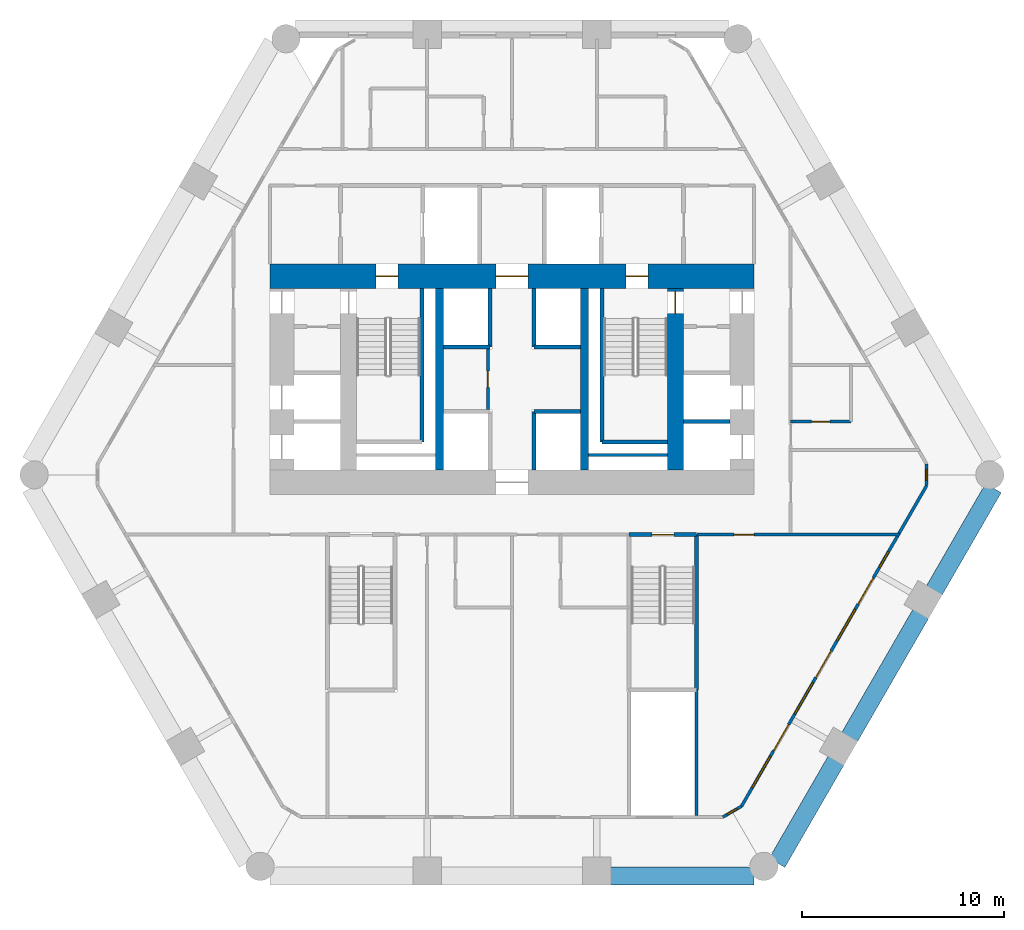
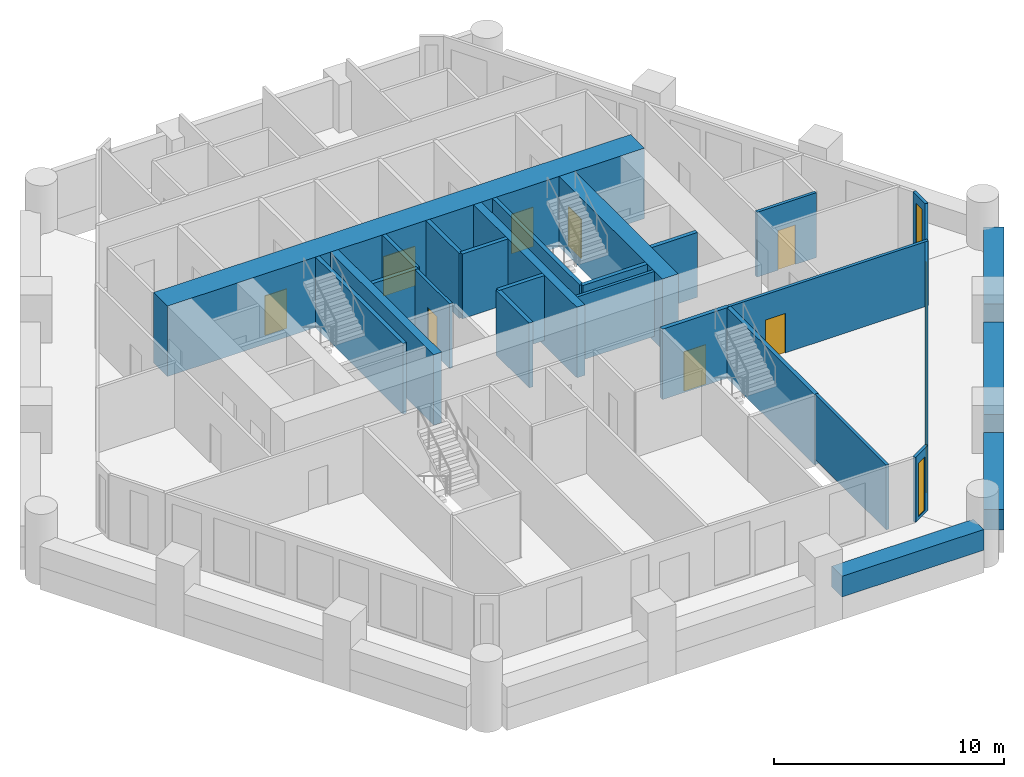
# One storey, part 4 of 8: 28 walls, 11 doors, 6 windows, 17 openings.
"""IFC4 building model written with IfcOpenShell, lengths in metres."""

from ifc_helpers import new_model, si_unit, direction, frame, frame_2d, origin, place, context, subcontext, project, spatial, rectangle, extrude, material, layer, layer_set, type_object, element, fill, save


model = new_model("IFC4")

# Units and contexts
model_context = context("Model", 3, precision=1e-05, world=origin(), true_north=direction((0.0, 1.0)))
body_context = subcontext(model_context, "Body", "Model", "MODEL_VIEW")
ifc_project = project(units=[si_unit("LENGTHUNIT", "METRE"), si_unit("AREAUNIT", "SQUARE_METRE"), si_unit("VOLUMEUNIT", "CUBIC_METRE"), si_unit("PLANEANGLEUNIT", "RADIAN"), si_unit("MASSUNIT", "GRAM", prefix="KILO")], contexts=[model_context])

# Site, building, storey
site_placement = place(None, origin())
site = spatial("IfcSite", under=ifc_project, at=site_placement, CompositionType="ELEMENT")
building_placement = place(site_placement, origin())
building = spatial("IfcBuilding", under=site, at=building_placement, Name="Ostrander Bayou Hotel Tower", CompositionType="ELEMENT")
storey_placement = place(building_placement, frame((0.0, 0.0, 61.75)))
storey = spatial("IfcBuildingStorey", under=building, at=storey_placement, Name="L15", CompositionType="ELEMENT", Elevation=61.75)

# Wall, openings, doors
ifc_material_1 = material(Name="Concrete f'c 70 MPa", Category="concrete")
ifc_layer_1 = layer(ifc_material_1, 1.199951171875)
ifc_layer_set_1 = layer_set([ifc_layer_1], Name="CW1 core wall 1200 mm f'c 70 MPa")
wall_type_1 = type_object("IfcWallType", Name="CW1 core wall 1200 mm f'c 70 MPa", PredefinedType="SHEAR", material=ifc_layer_set_1)
wall_1_placement = place(storey_placement, frame((-12.0, 9.10009765625, -0.300048828125), z_axis=(0.0, 0.0, 1.0), x_axis=(1.0, 0.0, 0.0)))
wall_1 = element("IfcWall", 1, at=wall_1_placement, inside=storey, type_object=wall_type_1, Name="CW1 L15 N", PredefinedType="SHEAR", context=body_context, shape_type="SweptSolid", body=[
    extrude(rectangle(XDim=24.0, YDim=1.199951171875, at=frame_2d((12.0, 0.0))), origin(), (0.0, 0.0, 1.0), 3.75),
])
opening_1_placement = place(wall_1_placement, frame((11.199951171875, 0.0, 0.0)))
opening_1 = element("IfcOpeningElement", 2, at=opening_1_placement, cuts=wall_1, Name="Opening T15-002", PredefinedType="OPENING", context=body_context, shape_type="SweptSolid", body=[
    extrude(rectangle(XDim=1.60009765625, YDim=2.10009765625, at=frame_2d((0.800048828125, 1.050048828125))), frame((0.0, 0.60009765625, 0.0), z_axis=(0.0, -1.0, 0.0), x_axis=(1.0, 0.0, 0.0)), (0.0, 0.0, 1.0), 1.199951171875),
])
opening_2_placement = place(wall_1_placement, frame((5.25, 0.0, 0.0)))
opening_2 = element("IfcOpeningElement", 3, at=opening_2_placement, cuts=wall_1, Name="Opening T15-003", PredefinedType="OPENING", context=body_context, shape_type="SweptSolid", body=[
    extrude(rectangle(XDim=1.10009765625, YDim=2.10009765625, at=frame_2d((0.550048828125, 1.050048828125))), frame((0.0, 0.60009765625, 0.0), z_axis=(0.0, -1.0, 0.0), x_axis=(1.0, 0.0, 0.0)), (0.0, 0.0, 1.0), 1.199951171875),
])
opening_3_placement = place(wall_1_placement, frame((17.64990234375, 0.0, 0.0)))
opening_3 = element("IfcOpeningElement", 4, at=opening_3_placement, cuts=wall_1, Name="Opening T15-005", PredefinedType="OPENING", context=body_context, shape_type="SweptSolid", body=[
    extrude(rectangle(XDim=1.10009765625, YDim=2.10009765625, at=frame_2d((0.550048828125, 1.050048828125))), frame((0.0, 0.60009765625, 0.0), z_axis=(0.0, -1.0, 0.0), x_axis=(1.0, 0.0, 0.0)), (0.0, 0.0, 1.0), 1.199951171875),
])
ifc_material_2 = material(Name="Timber door leaf", Category="wood")
door_type_1 = type_object("IfcDoorType", Name="D13 double door 1600 x 2100 mm, 1 hour", OperationType="SINGLE_SWING_LEFT", PredefinedType="DOOR", material=ifc_material_2)
door_1_placement = place(opening_1_placement, origin())
door_1 = element("IfcDoor", 5, at=door_1_placement, inside=storey, type_object=door_type_1, Name="dr:L15:002", OperationType="DOUBLE_DOOR_SINGLE_SWING", OverallHeight=2.10009765625, OverallWidth=1.60009765625, PredefinedType="DOOR", context=body_context, shape_type="SweptSolid", body=[
    extrude(rectangle(XDim=1.60009765625, YDim=2.10009765625, at=frame_2d((0.800048828125, 1.050048828125))), frame((0.0, 0.02490234375, 0.0), z_axis=(0.0, -1.0, 0.0), x_axis=(1.0, 0.0, 0.0)), (0.0, 0.0, 1.0), 0.050048828125),
])
fill(opening_1, door_1)
ifc_material_3 = material(Name="Timber door leaf", Category="wood")
door_type_2 = type_object("IfcDoorType", Name="D5 stair door 1100 x 2100 mm, 90 minute", OperationType="SINGLE_SWING_LEFT", PredefinedType="DOOR", material=ifc_material_3)
door_2_placement = place(opening_2_placement, origin())
door_2 = element("IfcDoor", 6, at=door_2_placement, inside=storey, type_object=door_type_2, Name="dr:L15:003", OperationType="SINGLE_SWING_LEFT", OverallHeight=2.10009765625, OverallWidth=1.10009765625, PredefinedType="DOOR", context=body_context, shape_type="SweptSolid", body=[
    extrude(rectangle(XDim=1.10009765625, YDim=2.10009765625, at=frame_2d((0.550048828125, 1.050048828125))), frame((0.0, 0.02490234375, 0.0), z_axis=(0.0, -1.0, 0.0), x_axis=(1.0, 0.0, 0.0)), (0.0, 0.0, 1.0), 0.050048828125),
])
fill(opening_2, door_2)
door_3_placement = place(opening_3_placement, origin())
door_3 = element("IfcDoor", 7, at=door_3_placement, inside=storey, type_object=door_type_2, Name="dr:L15:005", OperationType="SINGLE_SWING_RIGHT", OverallHeight=2.10009765625, OverallWidth=1.10009765625, PredefinedType="DOOR", context=body_context, shape_type="SweptSolid", body=[
    extrude(rectangle(XDim=1.10009765625, YDim=2.10009765625, at=frame_2d((0.550048828125, 1.050048828125))), frame((0.0, 0.02490234375, 0.0), z_axis=(0.0, -1.0, 0.0), x_axis=(1.0, 0.0, 0.0)), (0.0, 0.0, 1.0), 0.050048828125),
])
fill(opening_3, door_3)

# Wall, opening, door
ifc_material_4 = material(Name="Concrete f'c 70 MPa", Category="concrete")
ifc_layer_2 = layer(ifc_material_4, 0.800048828125)
ifc_layer_set_2 = layer_set([ifc_layer_2], Name="CW2 core spine wall 800 mm f'c 70 MPa")
wall_type_2 = type_object("IfcWallType", Name="CW2 core spine wall 800 mm f'c 70 MPa", PredefinedType="SHEAR", material=ifc_layer_set_2)
wall_2_placement = place(storey_placement, frame((8.10009765625, -0.5, -0.300048828125), z_axis=(0.0, 0.0, 1.0), x_axis=(0.0, 1.0, 0.0)))
wall_2 = element("IfcWall", 8, at=wall_2_placement, inside=storey, type_object=wall_type_2, Name="CW2 L15 E", PredefinedType="SHEAR", context=body_context, shape_type="SweptSolid", body=[
    extrude(rectangle(XDim=9.0, YDim=0.800048828125, at=frame_2d((4.5, 0.0))), origin(), (0.0, 0.0, 1.0), 3.75),
])
opening_4_placement = place(wall_2_placement, frame((7.75, 0.0, 0.0)))
opening_4 = element("IfcOpeningElement", 9, at=opening_4_placement, cuts=wall_2, Name="Opening T15-006", PredefinedType="OPENING", context=body_context, shape_type="SweptSolid", body=[
    extrude(rectangle(XDim=1.10009765625, YDim=2.10009765625, at=frame_2d((0.550048828125, 1.050048828125))), frame((0.0, 0.39990234375, 0.0), z_axis=(0.0, -1.0, 0.0), x_axis=(1.0, 0.0, 0.0)), (0.0, 0.0, 1.0), 0.800048828125),
])
door_4_placement = place(opening_4_placement, origin())
door_4 = element("IfcDoor", 10, at=door_4_placement, inside=storey, type_object=door_type_2, Name="dr:L15:006", OperationType="SINGLE_SWING_LEFT", OverallHeight=2.10009765625, OverallWidth=1.10009765625, PredefinedType="DOOR", context=body_context, shape_type="SweptSolid", body=[
    extrude(rectangle(XDim=1.10009765625, YDim=2.10009765625, at=frame_2d((0.550048828125, 1.050048828125))), frame((0.0, 0.02490234375, 0.0), z_axis=(0.0, -1.0, 0.0), x_axis=(1.0, 0.0, 0.0)), (0.0, 0.0, 1.0), 0.050048828125),
])
fill(opening_4, door_4)

# Walls
ifc_material_5 = material(Name="Concrete f'c 70 MPa", Category="concrete")
ifc_layer_3 = layer(ifc_material_5, 0.39990234375)
ifc_layer_set_3 = layer_set([ifc_layer_3], Name="CW3 core bank wall 400 mm f'c 70 MPa")
wall_type_3 = type_object("IfcWallType", Name="CW3 core bank wall 400 mm f'c 70 MPa", PredefinedType="SHEAR", material=ifc_layer_set_3)
for number, where, z_axis, x_axis, name in (
    (11, (-3.60009765625, -0.5, -0.300048828125), (0.0, 0.0, 1.0), (0.0, 1.0, 0.0), "CW3 L15 CW"),
    (12, (3.60009765625, -0.5, -0.300048828125), (0.0, 0.0, 1.0), (0.0, 1.0, 0.0), "CW3 L15 CE"),
):
    element("IfcWall", number, at=place(storey_placement, frame(where, z_axis=z_axis, x_axis=x_axis)), inside=storey, type_object=wall_type_3, Name=name, PredefinedType="SHEAR", context=body_context, shape_type="SweptSolid", body=[
        extrude(rectangle(XDim=9.0, YDim=0.39990234375, at=frame_2d((4.5, 0.0))), origin(), (0.0, 0.0, 1.0), 3.75),
    ])

# Wall, openings, doors, windows
ifc_material_6 = material(Name="Aluminium framed insulated wall", Category="aluminium")
ifc_layer_4 = layer(ifc_material_6, 0.14990234375)
ifc_layer_set_4 = layer_set([ifc_layer_4], Name="GW1 glass-line wall 150 mm")
wall_type_4 = type_object("IfcWallType", Name="GW1 glass-line wall 150 mm", PredefinedType="SOLIDWALL", material=ifc_layer_set_4)
wall_3_placement = place(storey_placement, frame((11.370361328125, -17.156005859375, 0.0), z_axis=(0.0, 0.0, 1.0), x_axis=(0.499995095024, 0.866028235655, 0.0)))
wall_3 = element("IfcWall", 13, at=wall_3_placement, inside=storey, type_object=wall_type_4, Name="GW1 L15 SE 1", PredefinedType="SOLIDWALL", context=body_context, shape_type="SweptSolid", body=[
    extrude(rectangle(XDim=18.344970703125, YDim=0.14990234375, at=frame_2d((9.17236328125, 0.0))), origin(), (0.0, 0.0, 1.0), 3.449951171875),
])
opening_5_placement = place(wall_3_placement, frame((1.072509765625, 0.0, 0.14990234375)))
opening_5 = element("IfcOpeningElement", 14, at=opening_5_placement, cuts=wall_3, Name="Opening W1", PredefinedType="OPENING", context=body_context, shape_type="SweptSolid", body=[
    extrude(rectangle(XDim=1.800048828125, YDim=2.85009765625, at=frame_2d((0.89990234375, 1.425048828125))), frame((0.0, 0.074951171875, 0.0), z_axis=(0.0, -1.0, 0.0), x_axis=(1.0, 0.0, 0.0)), (0.0, 0.0, 1.0), 0.14990234375),
])
opening_6_placement = place(wall_3_placement, frame((3.17236328125, 0.0, 0.0)))
opening_6 = element("IfcOpeningElement", 15, at=opening_6_placement, cuts=wall_3, Name="Opening T15-803", PredefinedType="OPENING", context=body_context, shape_type="SweptSolid", body=[
    extrude(rectangle(XDim=1.5, YDim=2.39990234375, at=frame_2d((0.75, 1.199951171875))), frame((0.0, 0.074951171875, 0.0), z_axis=(0.0, -1.0, 0.0), x_axis=(1.0, 0.0, 0.0)), (0.0, 0.0, 1.0), 0.14990234375),
])
opening_7_placement = place(wall_3_placement, frame((5.2724609375, 0.0, 0.14990234375)))
opening_7 = element("IfcOpeningElement", 16, at=opening_7_placement, cuts=wall_3, Name="Opening W1", PredefinedType="OPENING", context=body_context, shape_type="SweptSolid", body=[
    extrude(rectangle(XDim=1.800048828125, YDim=2.85009765625, at=frame_2d((0.89990234375, 1.425048828125))), frame((0.0, 0.074951171875, 0.0), z_axis=(0.0, -1.0, 0.0), x_axis=(1.0, 0.0, 0.0)), (0.0, 0.0, 1.0), 0.14990234375),
])
opening_8_placement = place(wall_3_placement, frame((7.372314453125, 0.0, 0.0)))
opening_8 = element("IfcOpeningElement", 17, at=opening_8_placement, cuts=wall_3, Name="Opening T15-804", PredefinedType="OPENING", context=body_context, shape_type="SweptSolid", body=[
    extrude(rectangle(XDim=1.5, YDim=2.39990234375, at=frame_2d((0.75, 1.199951171875))), frame((0.0, 0.074951171875, 0.0), z_axis=(0.0, -1.0, 0.0), x_axis=(1.0, 0.0, 0.0)), (0.0, 0.0, 1.0), 0.14990234375),
])
opening_9_placement = place(wall_3_placement, frame((9.472412109375, 0.0, 0.14990234375)))
opening_9 = element("IfcOpeningElement", 18, at=opening_9_placement, cuts=wall_3, Name="Opening W1", PredefinedType="OPENING", context=body_context, shape_type="SweptSolid", body=[
    extrude(rectangle(XDim=1.800048828125, YDim=2.85009765625, at=frame_2d((0.89990234375, 1.425048828125))), frame((0.0, 0.074951171875, 0.0), z_axis=(0.0, -1.0, 0.0), x_axis=(1.0, 0.0, 0.0)), (0.0, 0.0, 1.0), 0.14990234375),
])
opening_10_placement = place(wall_3_placement, frame((11.572509765625, 0.0, 0.0)))
opening_10 = element("IfcOpeningElement", 19, at=opening_10_placement, cuts=wall_3, Name="Opening T15-805", PredefinedType="OPENING", context=body_context, shape_type="SweptSolid", body=[
    extrude(rectangle(XDim=1.5, YDim=2.39990234375, at=frame_2d((0.75, 1.199951171875))), frame((0.0, 0.074951171875, 0.0), z_axis=(0.0, -1.0, 0.0), x_axis=(1.0, 0.0, 0.0)), (0.0, 0.0, 1.0), 0.14990234375),
])
opening_11_placement = place(wall_3_placement, frame((13.67236328125, 0.0, 0.14990234375)))
opening_11 = element("IfcOpeningElement", 20, at=opening_11_placement, cuts=wall_3, Name="Opening W15", PredefinedType="OPENING", context=body_context, shape_type="SweptSolid", body=[
    extrude(rectangle(XDim=0.89990234375, YDim=2.85009765625, at=frame_2d((0.449951171875, 1.425048828125))), frame((0.0, 0.074951171875, 0.0), z_axis=(0.0, -1.0, 0.0), x_axis=(1.0, 0.0, 0.0)), (0.0, 0.0, 1.0), 0.14990234375),
])
ifc_material_7 = material(Name="Aluminium and clear glass", Category="aluminium")
door_type_3 = type_object("IfcDoorType", Name="SD1 sliding glass door 1500 mm, zone 1", OperationType="SLIDING_TO_LEFT", PredefinedType="DOOR", material=ifc_material_7)
door_5_placement = place(opening_6_placement, origin())
door_5 = element("IfcDoor", 21, at=door_5_placement, inside=storey, type_object=door_type_3, Name="SD1 L15 SE 1", OperationType="SLIDING_TO_LEFT", OverallHeight=2.39990234375, OverallWidth=1.5, PredefinedType="DOOR", context=body_context, shape_type="SweptSolid", body=[
    extrude(rectangle(XDim=1.5, YDim=2.39990234375, at=frame_2d((0.75, 1.199951171875))), frame((0.0, 0.02490234375, 0.0), z_axis=(0.0, -1.0, 0.0), x_axis=(1.0, 0.0, 0.0)), (0.0, 0.0, 1.0), 0.050048828125),
])
fill(opening_6, door_5)
door_6_placement = place(opening_8_placement, origin())
door_6 = element("IfcDoor", 22, at=door_6_placement, inside=storey, type_object=door_type_3, Name="SD1 L15 SE 2", OperationType="SLIDING_TO_RIGHT", OverallHeight=2.39990234375, OverallWidth=1.5, PredefinedType="DOOR", context=body_context, shape_type="SweptSolid", body=[
    extrude(rectangle(XDim=1.5, YDim=2.39990234375, at=frame_2d((0.75, 1.199951171875))), frame((0.0, 0.02490234375, 0.0), z_axis=(0.0, -1.0, 0.0), x_axis=(1.0, 0.0, 0.0)), (0.0, 0.0, 1.0), 0.050048828125),
])
fill(opening_8, door_6)
door_7_placement = place(opening_10_placement, origin())
door_7 = element("IfcDoor", 23, at=door_7_placement, inside=storey, type_object=door_type_3, Name="SD1 L15 SE 3", OperationType="SLIDING_TO_LEFT", OverallHeight=2.39990234375, OverallWidth=1.5, PredefinedType="DOOR", context=body_context, shape_type="SweptSolid", body=[
    extrude(rectangle(XDim=1.5, YDim=2.39990234375, at=frame_2d((0.75, 1.199951171875))), frame((0.0, 0.02490234375, 0.0), z_axis=(0.0, -1.0, 0.0), x_axis=(1.0, 0.0, 0.0)), (0.0, 0.0, 1.0), 0.050048828125),
])
fill(opening_10, door_7)
ifc_material_8 = material(Name="Aluminium and clear glass", Category="aluminium")
window_type_1 = type_object("IfcWindowType", Name="W1 fixed window 1800 mm, zone 1", PartitioningType="SINGLE_PANEL", PredefinedType="WINDOW", material=ifc_material_8)
window_1_placement = place(opening_5_placement, origin())
window_1 = element("IfcWindow", 24, at=window_1_placement, inside=storey, type_object=window_type_1, Name="W1 L15 SE 1", OverallHeight=2.85009765625, OverallWidth=1.800048828125, PartitioningType="SINGLE_PANEL", PredefinedType="WINDOW", context=body_context, shape_type="SweptSolid", body=[
    extrude(rectangle(XDim=1.800048828125, YDim=2.85009765625, at=frame_2d((0.89990234375, 1.425048828125))), frame((0.0, 0.030029296875, 0.0), z_axis=(0.0, -1.0, 0.0), x_axis=(1.0, 0.0, 0.0)), (0.0, 0.0, 1.0), 0.06005859375),
])
fill(opening_5, window_1)
window_2_placement = place(opening_7_placement, origin())
window_2 = element("IfcWindow", 25, at=window_2_placement, inside=storey, type_object=window_type_1, Name="W1 L15 SE 2", OverallHeight=2.85009765625, OverallWidth=1.800048828125, PartitioningType="SINGLE_PANEL", PredefinedType="WINDOW", context=body_context, shape_type="SweptSolid", body=[
    extrude(rectangle(XDim=1.800048828125, YDim=2.85009765625, at=frame_2d((0.89990234375, 1.425048828125))), frame((0.0, 0.030029296875, 0.0), z_axis=(0.0, -1.0, 0.0), x_axis=(1.0, 0.0, 0.0)), (0.0, 0.0, 1.0), 0.06005859375),
])
fill(opening_7, window_2)
window_3_placement = place(opening_9_placement, origin())
window_3 = element("IfcWindow", 26, at=window_3_placement, inside=storey, type_object=window_type_1, Name="W1 L15 SE 3", OverallHeight=2.85009765625, OverallWidth=1.800048828125, PartitioningType="SINGLE_PANEL", PredefinedType="WINDOW", context=body_context, shape_type="SweptSolid", body=[
    extrude(rectangle(XDim=1.800048828125, YDim=2.85009765625, at=frame_2d((0.89990234375, 1.425048828125))), frame((0.0, 0.030029296875, 0.0), z_axis=(0.0, -1.0, 0.0), x_axis=(1.0, 0.0, 0.0)), (0.0, 0.0, 1.0), 0.06005859375),
])
fill(opening_9, window_3)
ifc_material_9 = material(Name="Aluminium and clear glass", Category="aluminium")
window_type_2 = type_object("IfcWindowType", Name="W15 window 900 mm, zone 1", PartitioningType="SINGLE_PANEL", PredefinedType="WINDOW", material=ifc_material_9)
window_4_placement = place(opening_11_placement, origin())
window_4 = element("IfcWindow", 27, at=window_4_placement, inside=storey, type_object=window_type_2, Name="W15 L15 SE 4", OverallHeight=2.85009765625, OverallWidth=0.89990234375, PartitioningType="SINGLE_PANEL", PredefinedType="WINDOW", context=body_context, shape_type="SweptSolid", body=[
    extrude(rectangle(XDim=0.89990234375, YDim=2.85009765625, at=frame_2d((0.449951171875, 1.425048828125))), frame((0.0, 0.030029296875, 0.0), z_axis=(0.0, -1.0, 0.0), x_axis=(1.0, 0.0, 0.0)), (0.0, 0.0, 1.0), 0.06005859375),
])
fill(opening_11, window_4)

# Wall, opening, window
wall_4_placement = place(storey_placement, frame((10.447998046875, -17.688720703125, 0.0), z_axis=(0.0, 0.0, 1.0), x_axis=(0.865948903286, 0.500132479346, 0.0)))
wall_4 = element("IfcWall", 28, at=wall_4_placement, inside=storey, type_object=wall_type_4, Name="GW1 L15 corner 4", PredefinedType="SOLIDWALL", context=body_context, shape_type="SweptSolid", body=[
    extrude(rectangle(XDim=1.065185546875, YDim=0.14990234375, at=frame_2d((0.53271484375, 0.0))), origin(), (0.0, 0.0, 1.0), 3.449951171875),
])
opening_12_placement = place(wall_4_placement, frame((0.257568359375, 0.0, 0.14990234375)))
opening_12 = element("IfcOpeningElement", 29, at=opening_12_placement, cuts=wall_4, Name="Opening W19", PredefinedType="OPENING", context=body_context, shape_type="SweptSolid", body=[
    extrude(rectangle(XDim=0.550048828125, YDim=2.85009765625, at=frame_2d((0.27490234375, 1.425048828125))), frame((0.0, 0.074951171875, 0.0), z_axis=(0.0, -1.0, 0.0), x_axis=(1.0, 0.0, 0.0)), (0.0, 0.0, 1.0), 0.14990234375),
])
ifc_material_10 = material(Name="Aluminium and clear glass", Category="aluminium")
window_type_3 = type_object("IfcWindowType", Name="W19 corner window 550 mm", PartitioningType="SINGLE_PANEL", PredefinedType="WINDOW", material=ifc_material_10)
window_5_placement = place(opening_12_placement, origin())
window_5 = element("IfcWindow", 30, at=window_5_placement, inside=storey, type_object=window_type_3, Name="W19 L15 corner 4", OverallHeight=2.85009765625, OverallWidth=0.550048828125, PartitioningType="SINGLE_PANEL", PredefinedType="WINDOW", context=body_context, shape_type="SweptSolid", body=[
    extrude(rectangle(XDim=0.550048828125, YDim=2.85009765625, at=frame_2d((0.27490234375, 1.425048828125))), frame((0.0, 0.030029296875, 0.0), z_axis=(0.0, -1.0, 0.0), x_axis=(1.0, 0.0, 0.0)), (0.0, 0.0, 1.0), 0.06005859375),
])
fill(opening_12, window_5)

wall_5_placement = place(storey_placement, frame((20.542724609375, -1.268798828125, 0.0), z_axis=(0.0, 0.0, 1.0), x_axis=(0.0, 1.0, 0.0)))
wall_5 = element("IfcWall", 31, at=wall_5_placement, inside=storey, type_object=wall_type_4, Name="GW1 L15 corner 5", PredefinedType="SOLIDWALL", context=body_context, shape_type="SweptSolid", body=[
    extrude(rectangle(XDim=1.06494140625, YDim=0.14990234375, at=frame_2d((0.532470703125, 0.0))), origin(), (0.0, 0.0, 1.0), 3.449951171875),
])
opening_13_placement = place(wall_5_placement, frame((0.257568359375, 0.0, 0.14990234375)))
opening_13 = element("IfcOpeningElement", 32, at=opening_13_placement, cuts=wall_5, Name="Opening W19", PredefinedType="OPENING", context=body_context, shape_type="SweptSolid", body=[
    extrude(rectangle(XDim=0.550048828125, YDim=2.85009765625, at=frame_2d((0.27490234375, 1.425048828125))), frame((0.0, 0.074951171875, 0.0), z_axis=(0.0, -1.0, 0.0), x_axis=(1.0, 0.0, 0.0)), (0.0, 0.0, 1.0), 0.14990234375),
])
window_6_placement = place(opening_13_placement, origin())
window_6 = element("IfcWindow", 33, at=window_6_placement, inside=storey, type_object=window_type_3, Name="W19 L15 corner 5", OverallHeight=2.85009765625, OverallWidth=0.550048828125, PartitioningType="SINGLE_PANEL", PredefinedType="WINDOW", context=body_context, shape_type="SweptSolid", body=[
    extrude(rectangle(XDim=0.550048828125, YDim=2.85009765625, at=frame_2d((0.27490234375, 1.425048828125))), frame((0.0, 0.030029296875, 0.0), z_axis=(0.0, -1.0, 0.0), x_axis=(1.0, 0.0, 0.0)), (0.0, 0.0, 1.0), 0.06005859375),
])
fill(opening_13, window_6)

# Walls
ifc_material_11 = material(Name="Concrete f'c 40 MPa", Category="concrete")
ifc_layer_5 = layer(ifc_material_11, 0.89990234375)
ifc_layer_set_5 = layer_set([ifc_layer_5], Name="PA1 stone-faced parapet 900 mm")
wall_type_5 = type_object("IfcWallType", Name="PA1 stone-faced parapet 900 mm", PredefinedType="PARAPET", material=ifc_layer_set_5)
wall_6_placement = place(storey_placement, frame((4.865478515625, -20.613525390625, 0.0), z_axis=(0.0, 0.0, 1.0), x_axis=(1.0, 0.0, 0.0)))
element("IfcWall", 34, at=wall_6_placement, inside=storey, type_object=wall_type_5, Name="PA1 L15 S-3", PredefinedType="PARAPET", context=body_context, shape_type="SweptSolid", body=[
    extrude(rectangle(XDim=7.128662109375, YDim=0.89990234375, at=frame_2d((3.564453125, 0.0))), origin(), (0.0, 0.0, 1.0), 1.10009765625),
])
ifc_material_12 = material(Name="Limestone masonry", Category="masonry")
ifc_layer_6 = layer(ifc_material_12, 0.89990234375)
ifc_layer_set_6 = layer_set([ifc_layer_6], Name="PA2 limestone parapet 900 mm")
wall_type_6 = type_object("IfcWallType", Name="PA2 limestone parapet 900 mm", PredefinedType="PARAPET", material=ifc_layer_set_6)
wall_7_placement = place(storey_placement, frame((13.13037109375, -19.95751953125, 0.0), z_axis=(0.0, 0.0, 1.0), x_axis=(0.500001680296, 0.866024433663, 0.0)))
element("IfcWall", 35, at=wall_7_placement, inside=storey, type_object=wall_type_6, Name="PA2 L15 SE-1", PredefinedType="PARAPET", context=body_context, shape_type="SweptSolid", body=[
    extrude(rectangle(XDim=5.85302734375, YDim=0.89990234375, at=frame_2d((2.926513671875, 0.0))), origin(), (0.0, 0.0, 1.0), 1.10009765625),
])
wall_8_placement = place(storey_placement, frame((16.726806640625, -13.72802734375, 0.0), z_axis=(0.0, 0.0, 1.0), x_axis=(0.499997206141, 0.866027016814, 0.0)))
element("IfcWall", 36, at=wall_8_placement, inside=storey, type_object=wall_type_6, Name="PA2 L15 SE-2", PredefinedType="PARAPET", context=body_context, shape_type="SweptSolid", body=[
    extrude(rectangle(XDim=7.05078125, YDim=0.89990234375, at=frame_2d((3.525390625, 0.0))), origin(), (0.0, 0.0, 1.0), 1.10009765625),
])
wall_9_placement = place(storey_placement, frame((20.92236328125, -6.46142578125, 0.0), z_axis=(0.0, 0.0, 1.0), x_axis=(0.500014901547, 0.866016800201, 0.0)))
element("IfcWall", 37, at=wall_9_placement, inside=storey, type_object=wall_type_6, Name="PA2 L15 SE-3", PredefinedType="PARAPET", context=body_context, shape_type="SweptSolid", body=[
    extrude(rectangle(XDim=5.853271484375, YDim=0.89990234375, at=frame_2d((2.9267578125, 0.0))), origin(), (0.0, 0.0, 1.0), 1.10009765625),
])
ifc_material_13 = material(Name="Masonry block", Category="masonry")
ifc_layer_7 = layer(ifc_material_13, 0.199951171875)
ifc_layer_set_7 = layer_set([ifc_layer_7], Name="PT6 lift shaft wall 200 mm masonry, 2 hour")
wall_type_7 = type_object("IfcWallType", Name="PT6 lift shaft wall 200 mm masonry, 2 hour", PredefinedType="PARTITIONING", material=ifc_layer_set_7)
for number, where, z_axis, x_axis, name in (
    (38, (-3.39990234375, 5.60009765625, 0.0), (0.0, 0.0, 1.0), (1.0, 0.0, 0.0), "cs:L15:002"),
    (39, (1.10009765625, 2.39990234375, 0.0), (0.0, 0.0, 1.0), (1.0, 0.0, 0.0), "cs:L15:003"),
    (40, (1.10009765625, 5.60009765625, 0.0), (0.0, 0.0, 1.0), (1.0, 0.0, 0.0), "cs:L15:004"),
):
    element("IfcWall", number, at=place(storey_placement, frame(where, z_axis=z_axis, x_axis=x_axis)), inside=storey, type_object=wall_type_7, Name=name, PredefinedType="PARTITIONING", context=body_context, shape_type="SweptSolid", body=[
        extrude(rectangle(XDim=2.2998046875, YDim=0.199951171875, at=frame_2d((1.14990234375, 0.0))), origin(), (0.0, 0.0, 1.0), 3.449951171875),
    ])
for number, where, z_axis, x_axis, name in (
    (41, (1.10009765625, -0.5, 0.0), (0.0, 0.0, 1.0), (0.0, 1.0, 0.0), "cs:L15:006"),
    (42, (-1.10009765625, 5.60009765625, 0.0), (0.0, 0.0, 1.0), (0.0, 1.0, 0.0), "cs:L15:007"),
    (43, (1.10009765625, 5.60009765625, 0.0), (0.0, 0.0, 1.0), (0.0, 1.0, 0.0), "cs:L15:008"),
):
    element("IfcWall", number, at=place(storey_placement, frame(where, z_axis=z_axis, x_axis=x_axis)), inside=storey, type_object=wall_type_7, Name=name, PredefinedType="PARTITIONING", context=body_context, shape_type="SweptSolid", body=[
        extrude(rectangle(XDim=2.89990234375, YDim=0.199951171875, at=frame_2d((1.449951171875, 0.0))), origin(), (0.0, 0.0, 1.0), 3.449951171875),
    ])
wall_10_placement = place(storey_placement, frame((8.5, 1.89990234375, 0.0), z_axis=(0.0, 0.0, 1.0), x_axis=(1.0, 0.0, 0.0)))
element("IfcWall", 44, at=wall_10_placement, inside=storey, type_object=wall_type_7, Name="cs:L15:036", PredefinedType="PARTITIONING", context=body_context, shape_type="SweptSolid", body=[
    extrude(rectangle(XDim=2.300048828125, YDim=0.199951171875, at=frame_2d((1.14990234375, 0.0))), origin(), (0.0, 0.0, 1.0), 3.449951171875),
])
ifc_material_14 = material(Name="Gypsum board partition", Category="finish")
ifc_layer_8 = layer(ifc_material_14, 0.14990234375)
ifc_layer_set_8 = layer_set([ifc_layer_8], Name="PT7 riser wall 150 mm, 2 hour")
wall_type_8 = type_object("IfcWallType", Name="PT7 riser wall 150 mm, 2 hour", PredefinedType="PARTITIONING", material=ifc_layer_set_8)
wall_11_placement = place(storey_placement, frame((3.800048828125, 0.25, 0.0), z_axis=(0.0, 0.0, 1.0), x_axis=(1.0, 0.0, 0.0)))
element("IfcWall", 45, at=wall_11_placement, inside=storey, type_object=wall_type_8, Name="cs:L15:014", PredefinedType="PARTITIONING", context=body_context, shape_type="SweptSolid", body=[
    extrude(rectangle(XDim=3.89990234375, YDim=0.14990234375, at=frame_2d((1.949951171875, 0.0))), origin(), (0.0, 0.0, 1.0), 3.449951171875),
])
wall_12_placement = place(storey_placement, frame((9.14990234375, -11.39990234375, 0.0), z_axis=(0.0, 0.0, 1.0), x_axis=(0.0, -1.0, 0.0)))
element("IfcWall", 46, at=wall_12_placement, inside=storey, type_object=wall_type_8, Name="cs:L15:020", PredefinedType="PARTITIONING", context=body_context, shape_type="SweptSolid", body=[
    extrude(rectangle(XDim=6.213623046875, YDim=0.14990234375, at=frame_2d((3.10693359375, 0.0))), origin(), (0.0, 0.0, 1.0), 3.449951171875),
])

# Wall, opening, door
wall_13_placement = place(storey_placement, frame((-1.199951171875, 2.5, 0.0), z_axis=(0.0, 0.0, 1.0), x_axis=(0.0, 1.0, 0.0)))
wall_13 = element("IfcWall", 47, at=wall_13_placement, inside=storey, type_object=wall_type_8, Name="cs:L15:032", PredefinedType="PARTITIONING", context=body_context, shape_type="SweptSolid", body=[
    extrude(rectangle(XDim=3.0, YDim=0.14990234375, at=frame_2d((1.5, 0.0))), origin(), (0.0, 0.0, 1.0), 3.449951171875),
])
opening_14_placement = place(wall_13_placement, frame((1.10009765625, 0.0, 0.0)))
opening_14 = element("IfcOpeningElement", 48, at=opening_14_placement, cuts=wall_13, Name="Opening T15-014", PredefinedType="OPENING", context=body_context, shape_type="SweptSolid", body=[
    extrude(rectangle(XDim=0.800048828125, YDim=2.10009765625, at=frame_2d((0.39990234375, 1.050048828125))), frame((0.0, 0.074951171875, 0.0), z_axis=(0.0, -1.0, 0.0), x_axis=(1.0, 0.0, 0.0)), (0.0, 0.0, 1.0), 0.14990234375),
])
ifc_material_15 = material(Name="Timber door leaf", Category="wood")
door_type_4 = type_object("IfcDoorType", Name="D6 riser door 800 x 2100 mm, 90 minute", OperationType="SINGLE_SWING_LEFT", PredefinedType="DOOR", material=ifc_material_15)
door_8_placement = place(opening_14_placement, origin())
door_8 = element("IfcDoor", 49, at=door_8_placement, inside=storey, type_object=door_type_4, Name="dr:L15:014", OperationType="SINGLE_SWING_LEFT", OverallHeight=2.10009765625, OverallWidth=0.800048828125, PredefinedType="DOOR", context=body_context, shape_type="SweptSolid", body=[
    extrude(rectangle(XDim=0.800048828125, YDim=2.10009765625, at=frame_2d((0.39990234375, 1.050048828125))), frame((0.0, 0.02490234375, 0.0), z_axis=(0.0, -1.0, 0.0), x_axis=(1.0, 0.0, 0.0)), (0.0, 0.0, 1.0), 0.050048828125),
])
fill(opening_14, door_8)

ifc_material_16 = material(Name="Gypsum board partition", Category="finish")
ifc_layer_9 = layer(ifc_material_16, 0.14990234375)
ifc_layer_set_9 = layer_set([ifc_layer_9], Name="PT8 service band wall 150 mm, 1 hour")
wall_type_9 = type_object("IfcWallType", Name="PT8 service band wall 150 mm, 1 hour", PredefinedType="PARTITIONING", material=ifc_layer_set_9)
wall_14_placement = place(storey_placement, frame((9.159912109375, -3.699951171875, 0.0), z_axis=(0.0, 0.0, 1.0), x_axis=(1.0, 0.0, 0.0)))
wall_14 = element("IfcWall", 50, at=wall_14_placement, inside=storey, type_object=wall_type_9, Name="gw:L15:005", PredefinedType="PARTITIONING", context=body_context, shape_type="SweptSolid", body=[
    extrude(rectangle(XDim=10.031005859375, YDim=0.14990234375, at=frame_2d((5.015625, 0.0))), origin(), (0.0, 0.0, 1.0), 3.449951171875),
])
opening_15_placement = place(wall_14_placement, frame((1.840087890625, 0.0, 0.0)))
opening_15 = element("IfcOpeningElement", 51, at=opening_15_placement, cuts=wall_14, Name="Opening T15-406", PredefinedType="OPENING", context=body_context, shape_type="SweptSolid", body=[
    extrude(rectangle(XDim=1.0, YDim=2.10009765625, at=frame_2d((0.5, 1.050048828125))), frame((0.0, 0.074951171875, 0.0), z_axis=(0.0, -1.0, 0.0), x_axis=(1.0, 0.0, 0.0)), (0.0, 0.0, 1.0), 0.14990234375),
])
ifc_material_17 = material(Name="Timber door leaf", Category="wood")
door_type_5 = type_object("IfcDoorType", Name="D15 room door 1000 x 2100 mm", OperationType="SINGLE_SWING_LEFT", PredefinedType="DOOR", material=ifc_material_17)
door_9_placement = place(opening_15_placement, origin())
door_9 = element("IfcDoor", 52, at=door_9_placement, inside=storey, type_object=door_type_5, Name="dr:L15:406", OperationType="SINGLE_SWING_LEFT", OverallHeight=2.10009765625, OverallWidth=1.0, PredefinedType="DOOR", context=body_context, shape_type="SweptSolid", body=[
    extrude(rectangle(XDim=1.0, YDim=2.10009765625, at=frame_2d((0.5, 1.050048828125))), frame((0.0, 0.02490234375, 0.0), z_axis=(0.0, -1.0, 0.0), x_axis=(1.0, 0.0, 0.0)), (0.0, 0.0, 1.0), 0.050048828125),
])
fill(opening_15, door_9)

wall_15_placement = place(storey_placement, frame((13.800048828125, 1.89990234375, 0.0), z_axis=(0.0, 0.0, 1.0), x_axis=(1.0, 0.0, 0.0)))
wall_15 = element("IfcWall", 53, at=wall_15_placement, inside=storey, type_object=wall_type_9, Name="gw:L15:007", PredefinedType="PARTITIONING", context=body_context, shape_type="SweptSolid", body=[
    extrude(rectangle(XDim=3.0, YDim=0.14990234375, at=frame_2d((1.5, 0.0))), origin(), (0.0, 0.0, 1.0), 3.449951171875),
])
opening_16_placement = place(wall_15_placement, frame((1.050048828125, 0.0, 0.0)))
opening_16 = element("IfcOpeningElement", 54, at=opening_16_placement, cuts=wall_15, Name="Opening T15-411", PredefinedType="OPENING", context=body_context, shape_type="SweptSolid", body=[
    extrude(rectangle(XDim=0.89990234375, YDim=2.10009765625, at=frame_2d((0.449951171875, 1.050048828125))), frame((0.0, 0.074951171875, 0.0), z_axis=(0.0, -1.0, 0.0), x_axis=(1.0, 0.0, 0.0)), (0.0, 0.0, 1.0), 0.14990234375),
])
ifc_material_18 = material(Name="Timber door leaf", Category="wood")
door_type_6 = type_object("IfcDoorType", Name="D14 bathroom door 900 x 2100 mm", OperationType="SINGLE_SWING_LEFT", PredefinedType="DOOR", material=ifc_material_18)
door_10_placement = place(opening_16_placement, origin())
door_10 = element("IfcDoor", 55, at=door_10_placement, inside=storey, type_object=door_type_6, Name="dr:L15:411", OperationType="SINGLE_SWING_LEFT", OverallHeight=2.10009765625, OverallWidth=0.89990234375, PredefinedType="DOOR", context=body_context, shape_type="SweptSolid", body=[
    extrude(rectangle(XDim=0.89990234375, YDim=2.10009765625, at=frame_2d((0.449951171875, 1.050048828125))), frame((0.0, 0.02490234375, 0.0), z_axis=(0.0, -1.0, 0.0), x_axis=(1.0, 0.0, 0.0)), (0.0, 0.0, 1.0), 0.050048828125),
])
fill(opening_16, door_10)

# Walls
ifc_material_19 = material(Name="Concrete f'c 45 MPa", Category="concrete")
ifc_layer_10 = layer(ifc_material_19, 0.199951171875)
ifc_layer_set_10 = layer_set([ifc_layer_10], Name="SW5 stair enclosure wall 200 mm f'c 45 MPa")
wall_type_10 = type_object("IfcWallType", Name="SW5 stair enclosure wall 200 mm f'c 45 MPa", PredefinedType="SOLIDWALL", material=ifc_layer_set_10)
for number, where, z_axis, x_axis, name in (
    (56, (-4.449951171875, 0.89990234375, -0.300048828125), (0.0, 0.0, 1.0), (0.0, 1.0, 0.0), "cs:L15:009"),
    (57, (4.449951171875, 0.89990234375, -0.300048828125), (0.0, 0.0, 1.0), (0.0, 1.0, 0.0), "cs:L15:012"),
):
    element("IfcWall", number, at=place(storey_placement, frame(where, z_axis=z_axis, x_axis=x_axis)), inside=storey, type_object=wall_type_10, Name=name, PredefinedType="SOLIDWALL", context=body_context, shape_type="SweptSolid", body=[
        extrude(rectangle(XDim=7.60009765625, YDim=0.199951171875, at=frame_2d((3.800048828125, 0.0))), origin(), (0.0, 0.0, 1.0), 3.75),
    ])
wall_16_placement = place(storey_placement, frame((4.449951171875, 0.89990234375, -0.300048828125), z_axis=(0.0, 0.0, 1.0), x_axis=(1.0, 0.0, 0.0)))
element("IfcWall", 58, at=wall_16_placement, inside=storey, type_object=wall_type_10, Name="cs:L15:013", PredefinedType="SOLIDWALL", context=body_context, shape_type="SweptSolid", body=[
    extrude(rectangle(XDim=3.25, YDim=0.199951171875, at=frame_2d((1.625, 0.0))), origin(), (0.0, 0.0, 1.0), 3.75),
])

# Wall, opening, door
wall_17_placement = place(storey_placement, frame((5.800048828125, -3.699951171875, -0.300048828125), z_axis=(0.0, 0.0, 1.0), x_axis=(1.0, 0.0, 0.0)))
wall_17 = element("IfcWall", 59, at=wall_17_placement, inside=storey, type_object=wall_type_10, Name="cs:L15:015", PredefinedType="SOLIDWALL", context=body_context, shape_type="SweptSolid", body=[
    extrude(rectangle(XDim=3.349853515625, YDim=0.199951171875, at=frame_2d((1.6748046875, 0.0))), origin(), (0.0, 0.0, 1.0), 3.75),
])
opening_17_placement = place(wall_17_placement, frame((1.125, 0.0, 0.0)))
opening_17 = element("IfcOpeningElement", 60, at=opening_17_placement, cuts=wall_17, Name="Opening T15-007", PredefinedType="OPENING", context=body_context, shape_type="SweptSolid", body=[
    extrude(rectangle(XDim=1.10009765625, YDim=2.10009765625, at=frame_2d((0.550048828125, 1.050048828125))), frame((0.0, 0.10009765625, 0.0), z_axis=(0.0, -1.0, 0.0), x_axis=(1.0, 0.0, 0.0)), (0.0, 0.0, 1.0), 0.199951171875),
])
door_11_placement = place(opening_17_placement, origin())
door_11 = element("IfcDoor", 61, at=door_11_placement, inside=storey, type_object=door_type_2, Name="dr:L15:007", OperationType="SINGLE_SWING_LEFT", OverallHeight=2.10009765625, OverallWidth=1.10009765625, PredefinedType="DOOR", context=body_context, shape_type="SweptSolid", body=[
    extrude(rectangle(XDim=1.10009765625, YDim=2.10009765625, at=frame_2d((0.550048828125, 1.050048828125))), frame((0.0, 0.02490234375, 0.0), z_axis=(0.0, -1.0, 0.0), x_axis=(1.0, 0.0, 0.0)), (0.0, 0.0, 1.0), 0.050048828125),
])
fill(opening_17, door_11)

# Wall
wall_18_placement = place(storey_placement, frame((9.14990234375, -3.699951171875, -0.300048828125), z_axis=(0.0, 0.0, 1.0), x_axis=(0.0, -1.0, 0.0)))
element("IfcWall", 62, at=wall_18_placement, inside=storey, type_object=wall_type_10, Name="cs:L15:017", PredefinedType="SOLIDWALL", context=body_context, shape_type="SweptSolid", body=[
    extrude(rectangle(XDim=7.699951171875, YDim=0.199951171875, at=frame_2d((3.85009765625, 0.0))), origin(), (0.0, 0.0, 1.0), 3.75),
])

save(model, "model.ifc")
